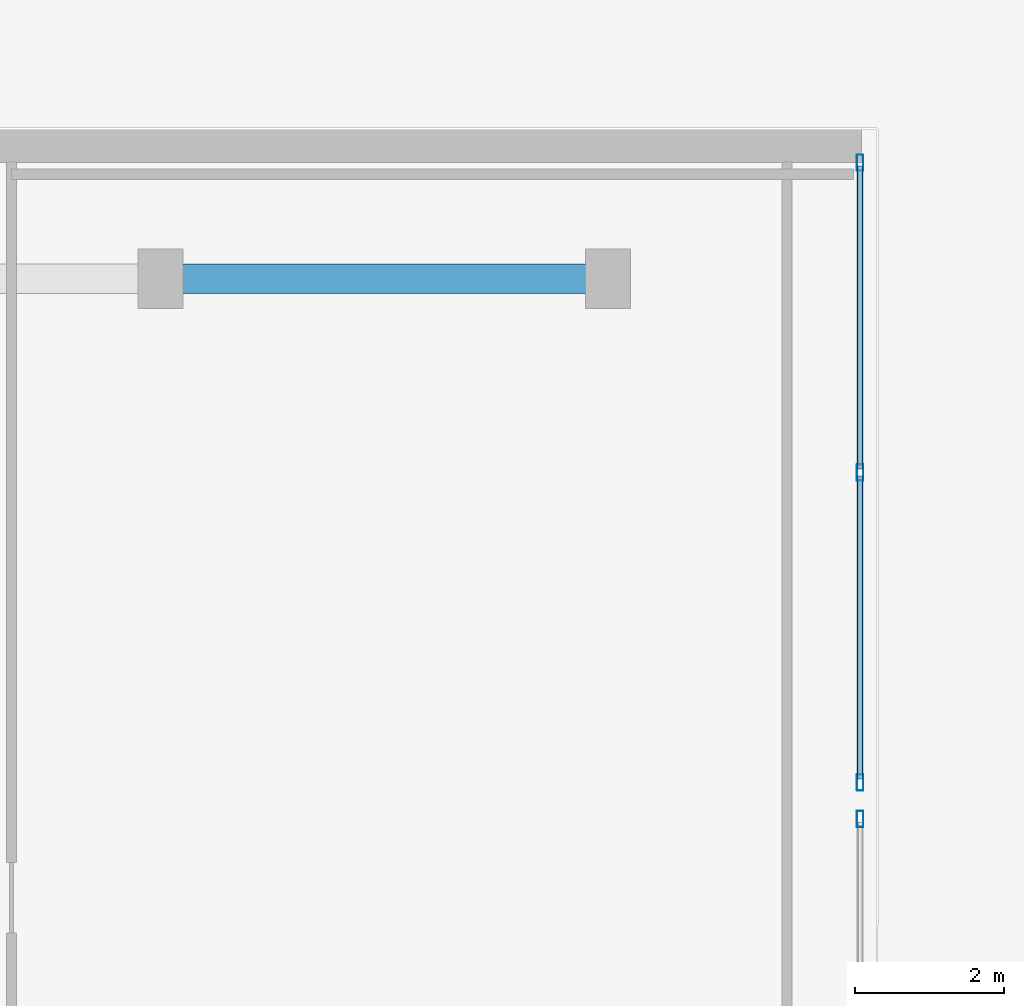
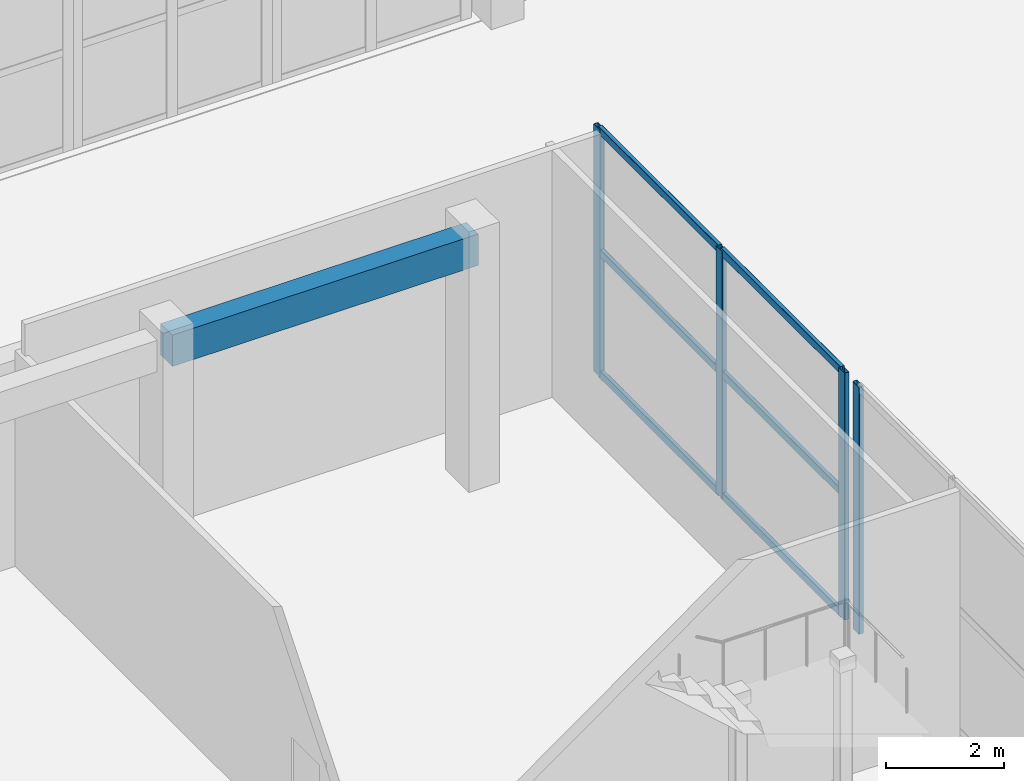
# One storey, part 17 of 98: 10 members, 1 beam, 2 elements without a shape of their own.
"""IFC4 building model written with IfcOpenShell, lengths in metres."""

from ifc_helpers import new_model, si_unit, direction, frame, origin, origin_2d, place, context, subcontext, project, spatial, rectangle, hollow_rectangle, extrude, material, layer, layer_set, material_profile, profile_set, type_object, element, aggregate, save


model = new_model("IFC4")

# Units and contexts
model_context = context("Model", 3, precision=1e-05, world=origin(), true_north=direction((0.0, 1.0)))
body_context = subcontext(model_context, "Body", "Model", "MODEL_VIEW")
ifc_project = project(units=[si_unit("LENGTHUNIT", "METRE"), si_unit("AREAUNIT", "SQUARE_METRE"), si_unit("VOLUMEUNIT", "CUBIC_METRE"), si_unit("PLANEANGLEUNIT", "RADIAN"), si_unit("MASSUNIT", "GRAM", prefix="KILO")], contexts=[model_context])

# Site, building, storey
site_placement = place(None, origin())
site = spatial("IfcSite", under=ifc_project, at=site_placement, CompositionType="ELEMENT")
building_placement = place(site_placement, origin())
building = spatial("IfcBuilding", under=site, at=building_placement, Name="Tarnavel Promenade Courthouse", CompositionType="ELEMENT")
storey_placement = place(building_placement, origin())
storey = spatial("IfcBuildingStorey", under=building, at=storey_placement, Name="L01", CompositionType="ELEMENT", Elevation=0.0)

# Beam
ifc_material_1 = material(Name="Concrete C40/50", Category="concrete")
ifc_material_profile_1 = material_profile(ifc_material_1, rectangle(XDim=0.39990234375, YDim=0.64990234375, at=origin_2d()), Name="RC 400x650")
ifc_profile_set_1 = profile_set([ifc_material_profile_1], Name="Concrete C40/50")
beam_type = type_object("IfcBeamType", Name="Concrete C40/50 BM-RC-400x650 (RC 400x650)", PredefinedType="BEAM", material=ifc_profile_set_1)
beam_placement = place(storey_placement, frame((45.60009765625, 35.199951171875, 4.81005859375), z_axis=(1.0, 0.0, 0.0), x_axis=(0.0, 1.0, 0.0)))
element("IfcBeam", 1, at=beam_placement, inside=storey, type_object=beam_type, Name="L01 Primary Longitudinal Beam 0604", PredefinedType="BEAM", context=body_context, shape_type="SweptSolid", body=[
    extrude(rectangle(XDim=0.39990234375, YDim=0.64990234375, at=origin_2d()), origin(), (0.0, 0.0, 1.0), 6.0),
])

# Curtain wall, member
ifc_material_2 = material(Name="Thermally Broken Anodised Aluminium Curtain Wall System", Category="aluminium")
ifc_layer = layer(ifc_material_2, 0.219970703125)
ifc_layer_set = layer_set([ifc_layer], Name="Thermally Broken Anodised Aluminium Curtain Wall System")
curtain_wall_type = type_object("IfcCurtainWallType", Name="Thermally Broken Aluminium Triple-Glazed Curtain Wall CW-DRUM", PredefinedType="NOTDEFINED", material=ifc_layer_set)
curtain_wall_1_placement = place(storey_placement, origin())
curtain_wall_1 = element("IfcCurtainWall", 2, at=curtain_wall_1_placement, inside=storey, type_object=curtain_wall_type, Name="L01 Public Drum East Return Curtain Wall 010", PredefinedType="NOTDEFINED")
ifc_material_3 = material(Name="Thermally Broken Anodised Aluminium Frame", Category="aluminium")
ifc_material_profile_2 = material_profile(ifc_material_3, hollow_rectangle(XDim=0.090087890625, YDim=0.219970703125, WallThickness=0.0048828125, InnerFilletRadius=0.0048828125, OuterFilletRadius=0.010009765625, at=origin_2d()), Name="CWM 220x90x5")
ifc_profile_set_2 = profile_set([ifc_material_profile_2], Name="Thermally Broken Anodised Aluminium Frame")
member_type_1 = type_object("IfcMemberType", Name="Thermally Broken Anodised Aluminium CWM-175 (CWM 220x90x5)", PredefinedType="MULLION", material=ifc_profile_set_2)
member_1_placement = place(storey_placement, frame((54.97998046875, 27.955078125, 0.0), z_axis=(0.0, 0.0, 1.0), x_axis=(-1.0, 0.0, 0.0)))
member_1 = element("IfcMember", 3, at=member_1_placement, type_object=member_type_1, Name="CW-01 mullion 3", PredefinedType="MULLION", context=body_context, shape_type="SweptSolid", body=[
    extrude(hollow_rectangle(XDim=0.090087890625, YDim=0.219970703125, WallThickness=0.0048828125, InnerFilletRadius=0.0048828125, OuterFilletRadius=0.010009765625, at=origin_2d()), origin(), (0.0, 0.0, 1.0), 5.1201171875),
])
aggregate(curtain_wall_1, [member_1])

# Curtain wall, members
curtain_wall_2_placement = place(storey_placement, origin())
curtain_wall_2 = element("IfcCurtainWall", 4, at=curtain_wall_2_placement, inside=storey, type_object=curtain_wall_type, Name="L01 Public Drum East Return Curtain Wall 011", PredefinedType="NOTDEFINED")
member_2_placement = place(storey_placement, frame((54.97998046875, 28.445068359375, 0.0), z_axis=(0.0, 0.0, 1.0), x_axis=(-1.0, 0.0, 0.0)))
member_2 = element("IfcMember", 5, at=member_2_placement, type_object=member_type_1, Name="CW-01 mullion 1", PredefinedType="MULLION", context=body_context, shape_type="SweptSolid", body=[
    extrude(hollow_rectangle(XDim=0.090087890625, YDim=0.219970703125, WallThickness=0.0048828125, InnerFilletRadius=0.0048828125, OuterFilletRadius=0.010009765625, at=origin_2d()), origin(), (0.0, 0.0, 1.0), 5.1201171875),
])
member_3_placement = place(storey_placement, frame((54.97998046875, 32.60009765625, 0.0), z_axis=(0.0, 0.0, 1.0), x_axis=(-1.0, 0.0, 0.0)))
member_3 = element("IfcMember", 6, at=member_3_placement, type_object=member_type_1, Name="CW-01 mullion 2", PredefinedType="MULLION", context=body_context, shape_type="SweptSolid", body=[
    extrude(hollow_rectangle(XDim=0.090087890625, YDim=0.219970703125, WallThickness=0.0048828125, InnerFilletRadius=0.0048828125, OuterFilletRadius=0.010009765625, at=origin_2d()), origin(), (0.0, 0.0, 1.0), 5.1201171875),
])
member_4_placement = place(storey_placement, frame((54.97998046875, 36.7548828125, 0.0), z_axis=(0.0, 0.0, 1.0), x_axis=(-1.0, 0.0, 0.0)))
member_4 = element("IfcMember", 7, at=member_4_placement, type_object=member_type_1, Name="CW-01 mullion 3", PredefinedType="MULLION", context=body_context, shape_type="SweptSolid", body=[
    extrude(hollow_rectangle(XDim=0.090087890625, YDim=0.219970703125, WallThickness=0.0048828125, InnerFilletRadius=0.0048828125, OuterFilletRadius=0.010009765625, at=origin_2d()), origin(), (0.0, 0.0, 1.0), 5.1201171875),
])
ifc_material_profile_3 = material_profile(ifc_material_3, hollow_rectangle(XDim=0.080078125, YDim=0.159912109375, WallThickness=0.0048828125, InnerFilletRadius=0.0048828125, OuterFilletRadius=0.010009765625, at=origin_2d()), Name="CWT 160x80x5")
ifc_profile_set_3 = profile_set([ifc_material_profile_3], Name="Thermally Broken Anodised Aluminium Frame")
member_type_2 = type_object("IfcMemberType", Name="Thermally Broken Anodised Aluminium CWT-145 (CWT 160x80x5)", PredefinedType="USERDEFINED", material=ifc_profile_set_3)
member_5_placement = place(storey_placement, frame((54.97998046875, 28.489990234375, 0.0400390625), z_axis=(0.0, 1.0, 0.0), x_axis=(-1.0, 0.0, 0.0)))
member_5 = element("IfcMember", 8, at=member_5_placement, type_object=member_type_2, Name="CW-01 transom 1.1", ObjectType="TRANSOM", PredefinedType="USERDEFINED", context=body_context, shape_type="SweptSolid", body=[
    extrude(hollow_rectangle(XDim=0.080078125, YDim=0.159912109375, WallThickness=0.0048828125, InnerFilletRadius=0.0048828125, OuterFilletRadius=0.010009765625, at=origin_2d()), origin(), (0.0, 0.0, 1.0), 4.06494140625),
])
member_6_placement = place(storey_placement, frame((54.97998046875, 28.489990234375, 2.56005859375), z_axis=(0.0, 1.0, 0.0), x_axis=(-1.0, 0.0, 0.0)))
member_6 = element("IfcMember", 9, at=member_6_placement, type_object=member_type_2, Name="CW-01 transom 1.2", ObjectType="TRANSOM", PredefinedType="USERDEFINED", context=body_context, shape_type="SweptSolid", body=[
    extrude(hollow_rectangle(XDim=0.080078125, YDim=0.159912109375, WallThickness=0.0048828125, InnerFilletRadius=0.0048828125, OuterFilletRadius=0.010009765625, at=origin_2d()), origin(), (0.0, 0.0, 1.0), 4.06494140625),
])
member_7_placement = place(storey_placement, frame((54.97998046875, 28.489990234375, 5.080078125), z_axis=(0.0, 1.0, 0.0), x_axis=(-1.0, 0.0, 0.0)))
member_7 = element("IfcMember", 10, at=member_7_placement, type_object=member_type_2, Name="CW-01 transom 1.3", ObjectType="TRANSOM", PredefinedType="USERDEFINED", context=body_context, shape_type="SweptSolid", body=[
    extrude(hollow_rectangle(XDim=0.080078125, YDim=0.159912109375, WallThickness=0.0048828125, InnerFilletRadius=0.0048828125, OuterFilletRadius=0.010009765625, at=origin_2d()), origin(), (0.0, 0.0, 1.0), 4.06494140625),
])
member_8_placement = place(storey_placement, frame((54.97998046875, 32.64501953125, 0.0400390625), z_axis=(0.0, 1.0, 0.0), x_axis=(-1.0, 0.0, 0.0)))
member_8 = element("IfcMember", 11, at=member_8_placement, type_object=member_type_2, Name="CW-01 transom 2.1", ObjectType="TRANSOM", PredefinedType="USERDEFINED", context=body_context, shape_type="SweptSolid", body=[
    extrude(hollow_rectangle(XDim=0.080078125, YDim=0.159912109375, WallThickness=0.0048828125, InnerFilletRadius=0.0048828125, OuterFilletRadius=0.010009765625, at=origin_2d()), origin(), (0.0, 0.0, 1.0), 4.06494140625),
])
member_9_placement = place(storey_placement, frame((54.97998046875, 32.64501953125, 2.56005859375), z_axis=(0.0, 1.0, 0.0), x_axis=(-1.0, 0.0, 0.0)))
member_9 = element("IfcMember", 12, at=member_9_placement, type_object=member_type_2, Name="CW-01 transom 2.2", ObjectType="TRANSOM", PredefinedType="USERDEFINED", context=body_context, shape_type="SweptSolid", body=[
    extrude(hollow_rectangle(XDim=0.080078125, YDim=0.159912109375, WallThickness=0.0048828125, InnerFilletRadius=0.0048828125, OuterFilletRadius=0.010009765625, at=origin_2d()), origin(), (0.0, 0.0, 1.0), 4.06494140625),
])
member_10_placement = place(storey_placement, frame((54.97998046875, 32.64501953125, 5.080078125), z_axis=(0.0, 1.0, 0.0), x_axis=(-1.0, 0.0, 0.0)))
member_10 = element("IfcMember", 13, at=member_10_placement, type_object=member_type_2, Name="CW-01 transom 2.3", ObjectType="TRANSOM", PredefinedType="USERDEFINED", context=body_context, shape_type="SweptSolid", body=[
    extrude(hollow_rectangle(XDim=0.080078125, YDim=0.159912109375, WallThickness=0.0048828125, InnerFilletRadius=0.0048828125, OuterFilletRadius=0.010009765625, at=origin_2d()), origin(), (0.0, 0.0, 1.0), 4.06494140625),
])
aggregate(curtain_wall_2, [member_2, member_3, member_4, member_5, member_6, member_7, member_8, member_9, member_10])

save(model, "model.ifc")
